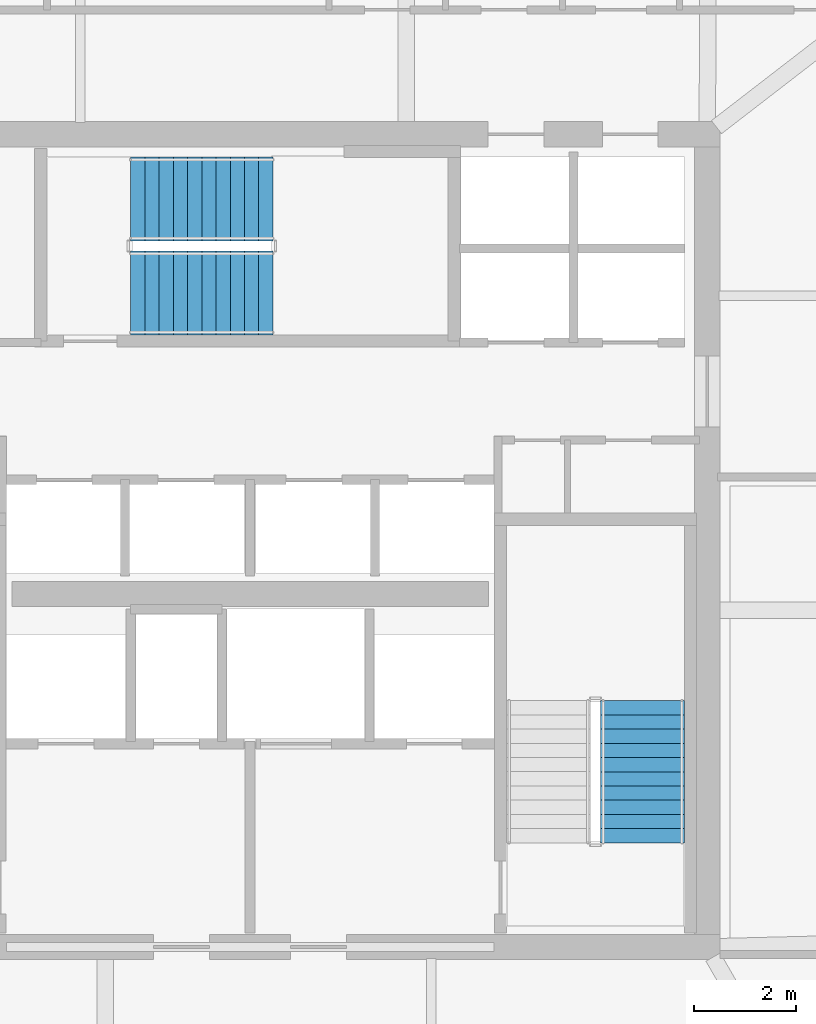
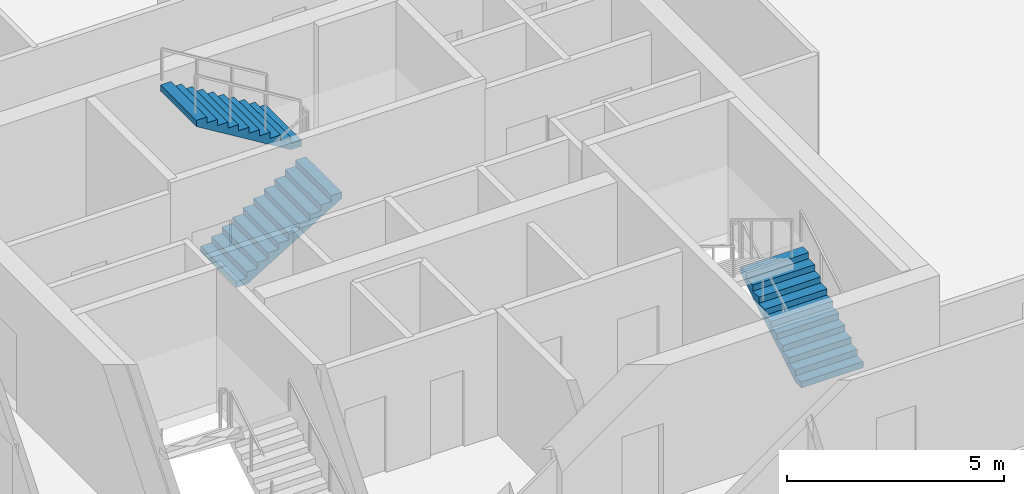
# One storey, part 28 of 33: 3 stair flights, 2 elements without a shape of their own.
"""IFC4 building model written with IfcOpenShell, lengths in metres."""

import ifcopenshell
import ifcopenshell.guid

model = None  # the IFC model being written
_history = None  # IfcOwnerHistory: only IFC2X3 demands one
_inside = {}  # id of a spatial element -> (the spatial element, [elements in it])
_under = {}  # id of a project, library or spatial element -> (it, [spatial elements below it])
_declared = {}  # id of a project -> (the project, [libraries it declares])
_typed = {}  # id of a type object -> (the type object, [elements of that type])
_made_of = {}  # id of a material, layer set ... -> (it, [elements and type objects made of it])


def new_model(schema):
    """Start an empty IFC model of exactly this schema.

    Asked for "IFC4X3", IfcOpenShell would pick the latest addendum, in which some entities
    have other attributes; the version numbers below select the first issue.
    IFC2X3 requires an IfcOwnerHistory on every rooted entity: one is made here for all.
    """
    global model, _history
    if schema == "IFC4X3":
        model = ifcopenshell.file(schema_version=(4, 3, 0, 0))
    else:
        model = ifcopenshell.file(schema=schema)
    _inside.clear()
    _under.clear()
    _declared.clear()
    _typed.clear()
    _made_of.clear()
    _history = None
    if model.schema == "IFC2X3":
        org = make("IfcOrganization", Name="unknown")
        user = make(
            "IfcPersonAndOrganization",
            ThePerson=make("IfcPerson", FamilyName="unknown"),
            TheOrganization=org,
        )
        app = make(
            "IfcApplication",
            ApplicationDeveloper=org,
            Version="unknown",
            ApplicationFullName="unknown",
            ApplicationIdentifier="unknown",
        )
        _history = make(
            "IfcOwnerHistory",
            OwningUser=user,
            OwningApplication=app,
            ChangeAction="ADDED",
            CreationDate=0,
        )
    return model


def make(cls, **values):
    """One entity of the class cls with the attributes given. An attribute that is None is left unset."""
    return model.create_entity(
        cls, **{name: value for name, value in values.items() if value is not None}
    )


def rooted(cls, **values):
    """An entity with a GlobalId (a new one), such as an element, a storey or a relation."""
    return make(cls, GlobalId=ifcopenshell.guid.new(), OwnerHistory=_history, **values)


def si_unit(unit_type, name, prefix=None):
    """IfcSIUnit, for example si_unit("LENGTHUNIT", "METRE", prefix="MILLI")."""
    return make("IfcSIUnit", UnitType=unit_type, Prefix=prefix, Name=name)


def assignment(units):
    """IfcUnitAssignment: the units of a project."""
    return None if units is None else make("IfcUnitAssignment", Units=units)


def point(xyz):
    """IfcCartesianPoint."""
    return None if xyz is None else make("IfcCartesianPoint", Coordinates=xyz)


def direction(xyz):
    """IfcDirection."""
    return None if xyz is None else make("IfcDirection", DirectionRatios=xyz)


def frame(location, z_axis=None, x_axis=None):
    """IfcAxis2Placement3D, a coordinate frame: its origin and axes. An axis left out is left unset."""
    return make(
        "IfcAxis2Placement3D",
        Location=point(location),
        Axis=direction(z_axis),
        RefDirection=direction(x_axis),
    )


def origin():
    """The frame at (0, 0, 0) with its axes left unset."""
    return frame((0.0, 0.0, 0.0))


def place(relative_to, where):
    """IfcLocalPlacement: puts the frame where relative to a parent placement (None: the world)."""
    return make(
        "IfcLocalPlacement", PlacementRelTo=relative_to, RelativePlacement=where
    )


def context(
    kind, dimensions, precision=None, world=None, true_north=None, identifier=None
):
    """IfcGeometricRepresentationContext, for example the 3D "Model" context."""
    return make(
        "IfcGeometricRepresentationContext",
        ContextIdentifier=identifier,
        ContextType=kind,
        CoordinateSpaceDimension=dimensions,
        Precision=precision,
        WorldCoordinateSystem=world,
        TrueNorth=true_north,
    )


def subcontext(parent, identifier, kind, view, scale=None):
    """IfcGeometricRepresentationSubContext, for example "Body" below "Model"."""
    return make(
        "IfcGeometricRepresentationSubContext",
        ContextIdentifier=identifier,
        ContextType=kind,
        ParentContext=parent,
        TargetScale=scale,
        TargetView=view,
    )


def project(units=None, contexts=None):
    """IfcProject with its units and contexts."""
    return rooted(
        "IfcProject",
        Name="project",
        RepresentationContexts=contexts,
        UnitsInContext=assignment(units),
    )


def spatial(cls, under=None, at=None, **own):
    """A site, building, storey or space (cls), placed at a placement, below another one or the project."""
    s = rooted(cls, ObjectPlacement=at, **own)
    if under is not None:
        _under.setdefault(under.id(), (under, []))[1].append(s)
    return s


def polyline(points):
    """IfcPolyline through the points."""
    return make("IfcPolyline", Points=[point(p) for p in points])


def outline(outer, holes=None, kind="AREA"):
    """IfcArbitraryClosedProfileDef: a profile drawn as a closed curve; with holes, ...WithVoids."""
    if holes is None:
        return make("IfcArbitraryClosedProfileDef", ProfileType=kind, OuterCurve=outer)
    return make(
        "IfcArbitraryProfileDefWithVoids",
        ProfileType=kind,
        OuterCurve=outer,
        InnerCurves=holes,
    )


def extrude(swept, where, along, depth):
    """IfcExtrudedAreaSolid: the profile swept, set in the frame where, extruded along a direction by depth."""
    return make(
        "IfcExtrudedAreaSolid",
        SweptArea=swept,
        Position=where,
        ExtrudedDirection=direction(along),
        Depth=depth,
    )


def shape(context_of_items, identifier, shape_type, items):
    """IfcShapeRepresentation: the items that make up one representation, for example the "Body"."""
    return make(
        "IfcShapeRepresentation",
        ContextOfItems=context_of_items,
        RepresentationIdentifier=identifier,
        RepresentationType=shape_type,
        Items=items,
    )


def material(Name=None, Category=None):
    """IfcMaterial."""
    return make("IfcMaterial", Name=Name, Category=Category)


def made_of(thing, what):
    """Note that an element or type object is made of a material, layer set ...; save() writes the relation."""
    if what is not None:
        _made_of.setdefault(what.id(), (what, []))[1].append(thing)
    return thing


def type_object(cls, material=None, **own):
    """A type object (cls), such as IfcWallType, which elements share."""
    return made_of(rooted(cls, **own), material)


def element(
    cls,
    number,
    at=None,
    inside=None,
    cuts=None,
    type_object=None,
    material=None,
    context=None,
    identifier="Body",
    shape_type=None,
    held_by="IfcProductDefinitionShape",
    body=None,
    shapes=None,
    **own,
):
    """One element of the class cls, such as IfcWall. Its Tag is "e" and its number.

    at: its placement. inside: the storey or other place that contains it. cuts: it is an
    opening in that element (IfcRelVoidsElement). A single representation is given by context,
    identifier, shape_type and body (its items); several are given by shapes. held_by: the class
    of the entity that holds the representations. save() writes the other relations.
    """
    e = rooted(cls, Tag="e%d" % number, ObjectPlacement=at, **own)
    if body is not None:
        shapes = [shape(context, identifier, shape_type, body)]
    if shapes is not None:
        e.Representation = make(held_by, Representations=shapes)
    if inside is not None:
        _inside.setdefault(inside.id(), (inside, []))[1].append(e)
    if cuts is not None:
        rooted(
            "IfcRelVoidsElement", RelatingBuildingElement=cuts, RelatedOpeningElement=e
        )
    if type_object is not None:
        _typed.setdefault(type_object.id(), (type_object, []))[1].append(e)
    return made_of(e, material)


def aggregate(whole, parts):
    """IfcRelAggregates: a whole, such as a stair, and the parts it consists of."""
    return rooted("IfcRelAggregates", RelatingObject=whole, RelatedObjects=parts)


def save(model, path):
    """Write the relations noted so far, then the file.

    IfcRelAggregates (storeys below a building ...), IfcRelContainedInSpatialStructure (elements
    in a storey), IfcRelDefinesByType, IfcRelAssociatesMaterial and IfcRelDeclares: one each for
    every whole, place, type object, material and project.
    """
    for whole, parts in _under.values():
        aggregate(whole, parts)
    for where, things in _inside.values():
        rooted(
            "IfcRelContainedInSpatialStructure",
            RelatedElements=things,
            RelatingStructure=where,
        )
    for kind, things in _typed.values():
        rooted("IfcRelDefinesByType", RelatedObjects=things, RelatingType=kind)
    for what, things in _made_of.values():
        rooted("IfcRelAssociatesMaterial", RelatedObjects=things, RelatingMaterial=what)
    for by, libraries in _declared.values():
        rooted("IfcRelDeclares", RelatingContext=by, RelatedDefinitions=libraries)
    model.write(path)


model = new_model("IFC4")

# Units and contexts
model_context = context("Model", 3, precision=1e-05, world=origin(), true_north=direction((0.0, 1.0)))
body_context = subcontext(model_context, "Body", "Model", "MODEL_VIEW")
ifc_project = project(units=[si_unit("LENGTHUNIT", "METRE"), si_unit("AREAUNIT", "SQUARE_METRE"), si_unit("VOLUMEUNIT", "CUBIC_METRE"), si_unit("PLANEANGLEUNIT", "RADIAN"), si_unit("MASSUNIT", "GRAM", prefix="KILO")], contexts=[model_context])

# Site, building, storey
site_placement = place(None, origin())
site = spatial("IfcSite", under=ifc_project, at=site_placement, CompositionType="ELEMENT")
building_placement = place(site_placement, origin())
building = spatial("IfcBuilding", under=site, at=building_placement, Name="Haldenkirk Collegiate Tower", CompositionType="ELEMENT")
storey_placement = place(building_placement, frame((0.0, 0.0, 174.449951171875)))
storey = spatial("IfcBuildingStorey", under=building, at=storey_placement, Name="L43", CompositionType="ELEMENT", Elevation=174.449951171875)

# Stair, stair flight
ifc_material = material(Name="Concrete f'c 40 MPa", Category="concrete")
stair_type = type_object("IfcStairType", Name="STR-DOGLEG-1650", PredefinedType="HALF_TURN_STAIR", material=ifc_material)
stair_1_placement = place(storey_placement, origin())
stair_1 = element("IfcStair", 1, at=stair_1_placement, inside=storey, type_object=stair_type, Name="L43 Core Exit Stair ST-2", PredefinedType="HALF_TURN_STAIR")
stair_flight_type = type_object("IfcStairFlightType", Name="STF-FLIGHT-1650", PredefinedType="STRAIGHT", material=ifc_material)
stair_flight_1_placement = place(storey_placement, frame((43.72509765625, 20.050048828125, 0.0), z_axis=(0.0, 0.0, 1.0), x_axis=(0.0, 1.0, 0.0)))
stair_flight_1 = element("IfcStairFlight", 2, at=stair_flight_1_placement, type_object=stair_flight_type, Name="ST-2 flight 1", NumberOfRisers=11, NumberOfTreads=10, PredefinedType="STRAIGHT", RiserHeight=0.170454545, TreadLength=0.28, context=body_context, shape_type="SweptSolid", body=[
    extrude(outline(polyline([(0.0, 0.0), (0.0, 0.17041015625), (0.280029296875, 0.17041015625), (0.280029296875, 0.3408203125), (0.56005859375, 0.3408203125), (0.56005859375, 0.511474609375), (0.840087890625, 0.511474609375), (0.840087890625, 0.681884765625), (1.1201171875, 0.681884765625), (1.1201171875, 0.852294921875), (1.39990234375, 0.852294921875), (1.39990234375, 1.022705078125), (1.679931640625, 1.022705078125), (1.679931640625, 1.193115234375), (1.9599609375, 1.193115234375), (1.9599609375, 1.363525390625), (2.239990234375, 1.363525390625), (2.239990234375, 1.5341796875), (2.52001953125, 1.5341796875), (2.52001953125, 1.70458984375), (2.800048828125, 1.70458984375), (2.800048828125, 1.875), (2.800048828125, 1.529052734375), (0.288330078125, 0.0), (0.0, 0.0)])), frame((0.0, 0.824951171875, 0.0), z_axis=(0.0, -1.0, 0.0), x_axis=(1.0, 0.0, 0.0)), (0.0, 0.0, 1.0), 1.64990234375),
])
aggregate(stair_1, [stair_flight_1])

# Stair, stair flights
stair_2_placement = place(storey_placement, origin())
stair_2 = element("IfcStair", 3, at=stair_2_placement, inside=storey, type_object=stair_type, Name="L43 Core Exit Stair ST-3", PredefinedType="HALF_TURN_STAIR")
stair_flight_2_placement = place(storey_placement, frame((33.64990234375, 30.875, 0.0), z_axis=(0.0, 0.0, 1.0), x_axis=(1.0, 0.0, 0.0)))
stair_flight_2 = element("IfcStairFlight", 4, at=stair_flight_2_placement, type_object=stair_flight_type, Name="ST-3 flight 1", NumberOfRisers=11, NumberOfTreads=10, PredefinedType="STRAIGHT", RiserHeight=0.170454545, TreadLength=0.28, context=body_context, shape_type="SweptSolid", body=[
    extrude(outline(polyline([(0.0, 0.0), (0.0, 0.17041015625), (0.280029296875, 0.17041015625), (0.280029296875, 0.3408203125), (0.56005859375, 0.3408203125), (0.56005859375, 0.511474609375), (0.840087890625, 0.511474609375), (0.840087890625, 0.681884765625), (1.1201171875, 0.681884765625), (1.1201171875, 0.852294921875), (1.39990234375, 0.852294921875), (1.39990234375, 1.022705078125), (1.679931640625, 1.022705078125), (1.679931640625, 1.193115234375), (1.9599609375, 1.193115234375), (1.9599609375, 1.363525390625), (2.239990234375, 1.363525390625), (2.239990234375, 1.5341796875), (2.52001953125, 1.5341796875), (2.52001953125, 1.70458984375), (2.800048828125, 1.70458984375), (2.800048828125, 1.875), (2.800048828125, 1.529052734375), (0.288330078125, 0.0), (0.0, 0.0)])), frame((0.0, 0.824951171875, 0.0), z_axis=(0.0, -1.0, 0.0), x_axis=(1.0, 0.0, 0.0)), (0.0, 0.0, 1.0), 1.64990234375),
])
stair_flight_3_placement = place(storey_placement, frame((36.449951171875, 32.72509765625, 1.875), z_axis=(0.0, 0.0, 1.0), x_axis=(-1.0, 0.0, 0.0)))
stair_flight_3 = element("IfcStairFlight", 5, at=stair_flight_3_placement, type_object=stair_flight_type, Name="ST-3 flight 2", NumberOfRisers=11, NumberOfTreads=10, PredefinedType="STRAIGHT", RiserHeight=0.170454545, TreadLength=0.28, context=body_context, shape_type="SweptSolid", body=[
    extrude(outline(polyline([(0.0, 0.0), (0.0, 0.17041015625), (0.280029296875, 0.17041015625), (0.280029296875, 0.3408203125), (0.56005859375, 0.3408203125), (0.56005859375, 0.511474609375), (0.840087890625, 0.511474609375), (0.840087890625, 0.681884765625), (1.1201171875, 0.681884765625), (1.1201171875, 0.852294921875), (1.39990234375, 0.852294921875), (1.39990234375, 1.022705078125), (1.679931640625, 1.022705078125), (1.679931640625, 1.193115234375), (1.9599609375, 1.193115234375), (1.9599609375, 1.363525390625), (2.239990234375, 1.363525390625), (2.239990234375, 1.5341796875), (2.52001953125, 1.5341796875), (2.52001953125, 1.70458984375), (2.800048828125, 1.70458984375), (2.800048828125, 1.875), (2.800048828125, 1.529052734375), (0.288330078125, 0.0), (0.0, 0.0)])), frame((0.0, 0.824951171875, 0.0), z_axis=(0.0, -1.0, 0.0), x_axis=(1.0, 0.0, 0.0)), (0.0, 0.0, 1.0), 1.64990234375),
])
aggregate(stair_2, [stair_flight_2, stair_flight_3])

save(model, "model.ifc")
